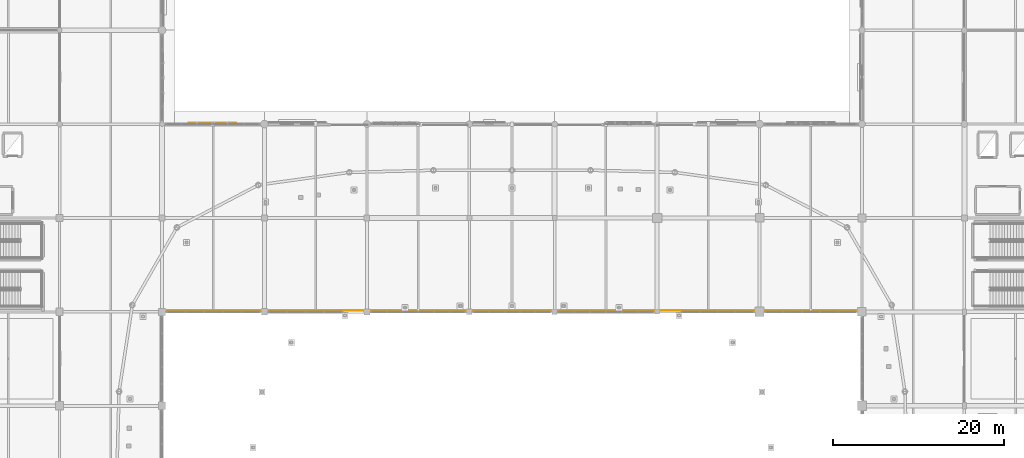
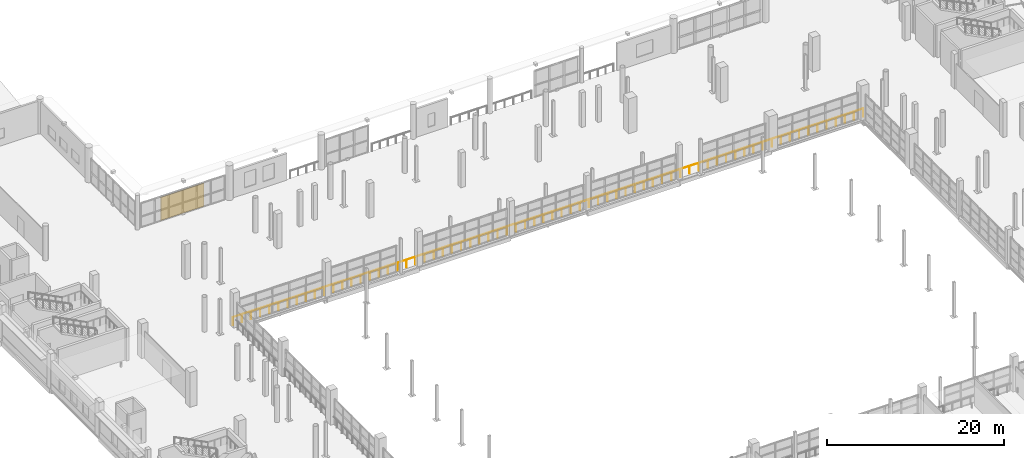
# One storey, part 128 of 143: 1 railing, 1 shading device.
"""IFC4 building model written with IfcOpenShell, lengths in metres."""

from ifc_helpers import new_model, si_unit, direction, frame, origin, origin_2d, place, context, subcontext, project, spatial, rectangle, circle, extrude, material, layer, layer_set, type_object, element, save


model = new_model("IFC4")

# Units and contexts
model_context = context("Model", 3, precision=1e-05, world=origin(), true_north=direction((0.0, 1.0)))
body_context = subcontext(model_context, "Body", "Model", "MODEL_VIEW")
ifc_project = project(units=[si_unit("LENGTHUNIT", "METRE"), si_unit("AREAUNIT", "SQUARE_METRE"), si_unit("VOLUMEUNIT", "CUBIC_METRE"), si_unit("PLANEANGLEUNIT", "RADIAN"), si_unit("MASSUNIT", "GRAM", prefix="KILO")], contexts=[model_context])

# Site, building, storey
site_placement = place(None, origin())
site = spatial("IfcSite", under=ifc_project, at=site_placement, CompositionType="ELEMENT")
building_placement = place(site_placement, origin())
building = spatial("IfcBuilding", under=site, at=building_placement, Name="Luwafu Chhajja Arena", CompositionType="ELEMENT")
storey_placement = place(building_placement, frame((0.0, 0.0, 5.39990234375)))
storey = spatial("IfcBuildingStorey", under=building, at=storey_placement, Name="L01", CompositionType="ELEMENT", Elevation=5.39990234375)

# Shading device
ifc_material_1 = material(Name="Pierced buff sandstone jali", Category="masonry")
ifc_layer = layer(ifc_material_1, 0.080078125, Name="Pierced buff sandstone jali")
ifc_layer_set = layer_set([ifc_layer], Name="Pierced buff sandstone jali")
shading_device_type = type_object("IfcShadingDeviceType", Name="Pierced Buff-Sandstone Jali Screen", PredefinedType="JALOUSIE", material=ifc_layer_set)
shading_device_placement = place(storey_placement, frame((63.91259765625, 99.110107421875, 0.000244140625), z_axis=(0.0, 0.0, 1.0), x_axis=(1.0, 0.0, 0.0)))
element("IfcShadingDevice", 1, at=shading_device_placement, inside=storey, type_object=shading_device_type, Name="L01 Pierced Buff-Sandstone Jali Screen 014", PredefinedType="JALOUSIE", context=body_context, shape_type="SweptSolid", body=[
    extrude(rectangle(XDim=5.60009765625, YDim=0.080078125, at=origin_2d()), origin(), (0.0, 0.0, 1.0), 3.18994140625),
])

# Railing
ifc_material_2 = material(Name="Stainless steel balustrade", Category="steel")
railing_type = type_object("IfcRailingType", Name="Seating Bowl Sightline Barrier 1100", PredefinedType="BALUSTRADE", material=ifc_material_2)
railing_placement = place(storey_placement, frame((140.14990234375, 77.14990234375, 0.0)))
element("IfcRailing", 2, at=railing_placement, inside=storey, type_object=railing_type, Name="L01 Bowl Rim Guard 0030", PredefinedType="BALUSTRADE", context=body_context, shape_type="SweptSolid", body=[
    extrude(circle(Radius=0.02392578125, at=origin_2d()), frame((0.0, 0.0, 1.09619140625), z_axis=(-1.0, 0.0, 0.0), x_axis=(0.0, -1.0, 0.0)), (0.0, 0.0, 1.0), 82.2998046875),
    extrude(circle(Radius=0.02099609375, at=origin_2d()), origin(), (0.0, 0.0, 1.0), 1.072021484375),
    extrude(circle(Radius=0.02099609375, at=origin_2d()), frame((-1.19287109375, 0.0, 0.0)), (0.0, 0.0, 1.0), 1.072021484375),
    extrude(circle(Radius=0.02099609375, at=origin_2d()), frame((-2.385498046875, 0.0, 0.0)), (0.0, 0.0, 1.0), 1.072021484375),
    extrude(circle(Radius=0.02099609375, at=origin_2d()), frame((-3.578369140625, 0.0, 0.0)), (0.0, 0.0, 1.0), 1.072021484375),
    extrude(circle(Radius=0.02099609375, at=origin_2d()), frame((-4.77099609375, 0.0, 0.0)), (0.0, 0.0, 1.0), 1.072021484375),
    extrude(circle(Radius=0.02099609375, at=origin_2d()), frame((-5.9638671875, 0.0, 0.0)), (0.0, 0.0, 1.0), 1.072021484375),
    extrude(circle(Radius=0.02099609375, at=origin_2d()), frame((-7.156494140625, 0.0, 0.0)), (0.0, 0.0, 1.0), 1.072021484375),
    extrude(circle(Radius=0.02099609375, at=origin_2d()), frame((-8.349365234375, 0.0, 0.0)), (0.0, 0.0, 1.0), 1.072021484375),
    extrude(circle(Radius=0.02099609375, at=origin_2d()), frame((-9.5419921875, 0.0, 0.0)), (0.0, 0.0, 1.0), 1.072021484375),
    extrude(circle(Radius=0.02099609375, at=origin_2d()), frame((-10.73486328125, 0.0, 0.0)), (0.0, 0.0, 1.0), 1.072021484375),
    extrude(circle(Radius=0.02099609375, at=origin_2d()), frame((-11.927490234375, 0.0, 0.0)), (0.0, 0.0, 1.0), 1.072021484375),
    extrude(circle(Radius=0.02099609375, at=origin_2d()), frame((-13.120361328125, 0.0, 0.0)), (0.0, 0.0, 1.0), 1.072021484375),
    extrude(circle(Radius=0.02099609375, at=origin_2d()), frame((-14.31298828125, 0.0, 0.0)), (0.0, 0.0, 1.0), 1.072021484375),
    extrude(circle(Radius=0.02099609375, at=origin_2d()), frame((-15.505859375, 0.0, 0.0)), (0.0, 0.0, 1.0), 1.072021484375),
    extrude(circle(Radius=0.02099609375, at=origin_2d()), frame((-16.698486328125, 0.0, 0.0)), (0.0, 0.0, 1.0), 1.072021484375),
    extrude(circle(Radius=0.02099609375, at=origin_2d()), frame((-17.891357421875, 0.0, 0.0)), (0.0, 0.0, 1.0), 1.072021484375),
    extrude(circle(Radius=0.02099609375, at=origin_2d()), frame((-19.083984375, 0.0, 0.0)), (0.0, 0.0, 1.0), 1.072021484375),
    extrude(circle(Radius=0.02099609375, at=origin_2d()), frame((-20.27685546875, 0.0, 0.0)), (0.0, 0.0, 1.0), 1.072021484375),
    extrude(circle(Radius=0.02099609375, at=origin_2d()), frame((-21.469482421875, 0.0, 0.0)), (0.0, 0.0, 1.0), 1.072021484375),
    extrude(circle(Radius=0.02099609375, at=origin_2d()), frame((-22.662353515625, 0.0, 0.0)), (0.0, 0.0, 1.0), 1.072021484375),
    extrude(circle(Radius=0.02099609375, at=origin_2d()), frame((-23.85498046875, 0.0, 0.0)), (0.0, 0.0, 1.0), 1.072021484375),
    extrude(circle(Radius=0.02099609375, at=origin_2d()), frame((-25.0478515625, 0.0, 0.0)), (0.0, 0.0, 1.0), 1.072021484375),
    extrude(circle(Radius=0.02099609375, at=origin_2d()), frame((-26.240478515625, 0.0, 0.0)), (0.0, 0.0, 1.0), 1.072021484375),
    extrude(circle(Radius=0.02099609375, at=origin_2d()), frame((-27.433349609375, 0.0, 0.0)), (0.0, 0.0, 1.0), 1.072021484375),
    extrude(circle(Radius=0.02099609375, at=origin_2d()), frame((-28.6259765625, 0.0, 0.0)), (0.0, 0.0, 1.0), 1.072021484375),
    extrude(circle(Radius=0.02099609375, at=origin_2d()), frame((-29.81884765625, 0.0, 0.0)), (0.0, 0.0, 1.0), 1.072021484375),
    extrude(circle(Radius=0.02099609375, at=origin_2d()), frame((-31.011474609375, 0.0, 0.0)), (0.0, 0.0, 1.0), 1.072021484375),
    extrude(circle(Radius=0.02099609375, at=origin_2d()), frame((-32.204345703125, 0.0, 0.0)), (0.0, 0.0, 1.0), 1.072021484375),
    extrude(circle(Radius=0.02099609375, at=origin_2d()), frame((-33.39697265625, 0.0, 0.0)), (0.0, 0.0, 1.0), 1.072021484375),
    extrude(circle(Radius=0.02099609375, at=origin_2d()), frame((-34.58984375, 0.0, 0.0)), (0.0, 0.0, 1.0), 1.072021484375),
    extrude(circle(Radius=0.02099609375, at=origin_2d()), frame((-35.782470703125, 0.0, 0.0)), (0.0, 0.0, 1.0), 1.072021484375),
    extrude(circle(Radius=0.02099609375, at=origin_2d()), frame((-36.975341796875, 0.0, 0.0)), (0.0, 0.0, 1.0), 1.072021484375),
    extrude(circle(Radius=0.02099609375, at=origin_2d()), frame((-38.16796875, 0.0, 0.0)), (0.0, 0.0, 1.0), 1.072021484375),
    extrude(circle(Radius=0.02099609375, at=origin_2d()), frame((-39.36083984375, 0.0, 0.0)), (0.0, 0.0, 1.0), 1.072021484375),
    extrude(circle(Radius=0.02099609375, at=origin_2d()), frame((-40.553466796875, 0.0, 0.0)), (0.0, 0.0, 1.0), 1.072021484375),
    extrude(circle(Radius=0.02099609375, at=origin_2d()), frame((-41.746337890625, 0.0, 0.0)), (0.0, 0.0, 1.0), 1.072021484375),
    extrude(circle(Radius=0.02099609375, at=origin_2d()), frame((-42.93896484375, 0.0, 0.0)), (0.0, 0.0, 1.0), 1.072021484375),
    extrude(circle(Radius=0.02099609375, at=origin_2d()), frame((-44.1318359375, 0.0, 0.0)), (0.0, 0.0, 1.0), 1.072021484375),
    extrude(circle(Radius=0.02099609375, at=origin_2d()), frame((-45.324462890625, 0.0, 0.0)), (0.0, 0.0, 1.0), 1.072021484375),
    extrude(circle(Radius=0.02099609375, at=origin_2d()), frame((-46.517333984375, 0.0, 0.0)), (0.0, 0.0, 1.0), 1.072021484375),
    extrude(circle(Radius=0.02099609375, at=origin_2d()), frame((-47.7099609375, 0.0, 0.0)), (0.0, 0.0, 1.0), 1.072021484375),
    extrude(circle(Radius=0.02099609375, at=origin_2d()), frame((-48.90283203125, 0.0, 0.0)), (0.0, 0.0, 1.0), 1.072021484375),
    extrude(circle(Radius=0.02099609375, at=origin_2d()), frame((-50.095458984375, 0.0, 0.0)), (0.0, 0.0, 1.0), 1.072021484375),
    extrude(circle(Radius=0.02099609375, at=origin_2d()), frame((-51.288330078125, 0.0, 0.0)), (0.0, 0.0, 1.0), 1.072021484375),
    extrude(circle(Radius=0.02099609375, at=origin_2d()), frame((-52.48095703125, 0.0, 0.0)), (0.0, 0.0, 1.0), 1.072021484375),
    extrude(circle(Radius=0.02099609375, at=origin_2d()), frame((-53.673828125, 0.0, 0.0)), (0.0, 0.0, 1.0), 1.072021484375),
    extrude(circle(Radius=0.02099609375, at=origin_2d()), frame((-54.866455078125, 0.0, 0.0)), (0.0, 0.0, 1.0), 1.072021484375),
    extrude(circle(Radius=0.02099609375, at=origin_2d()), frame((-56.059326171875, 0.0, 0.0)), (0.0, 0.0, 1.0), 1.072021484375),
    extrude(circle(Radius=0.02099609375, at=origin_2d()), frame((-57.251953125, 0.0, 0.0)), (0.0, 0.0, 1.0), 1.072021484375),
    extrude(circle(Radius=0.02099609375, at=origin_2d()), frame((-58.44482421875, 0.0, 0.0)), (0.0, 0.0, 1.0), 1.072021484375),
    extrude(circle(Radius=0.02099609375, at=origin_2d()), frame((-59.637451171875, 0.0, 0.0)), (0.0, 0.0, 1.0), 1.072021484375),
    extrude(circle(Radius=0.02099609375, at=origin_2d()), frame((-60.830322265625, 0.0, 0.0)), (0.0, 0.0, 1.0), 1.072021484375),
    extrude(circle(Radius=0.02099609375, at=origin_2d()), frame((-62.02294921875, 0.0, 0.0)), (0.0, 0.0, 1.0), 1.072021484375),
    extrude(circle(Radius=0.02099609375, at=origin_2d()), frame((-63.2158203125, 0.0, 0.0)), (0.0, 0.0, 1.0), 1.072021484375),
    extrude(circle(Radius=0.02099609375, at=origin_2d()), frame((-64.408447265625, 0.0, 0.0)), (0.0, 0.0, 1.0), 1.072021484375),
    extrude(circle(Radius=0.02099609375, at=origin_2d()), frame((-65.601318359375, 0.0, 0.0)), (0.0, 0.0, 1.0), 1.072021484375),
    extrude(circle(Radius=0.02099609375, at=origin_2d()), frame((-66.7939453125, 0.0, 0.0)), (0.0, 0.0, 1.0), 1.072021484375),
    extrude(circle(Radius=0.02099609375, at=origin_2d()), frame((-67.98681640625, 0.0, 0.0)), (0.0, 0.0, 1.0), 1.072021484375),
    extrude(circle(Radius=0.02099609375, at=origin_2d()), frame((-69.179443359375, 0.0, 0.0)), (0.0, 0.0, 1.0), 1.072021484375),
    extrude(circle(Radius=0.02099609375, at=origin_2d()), frame((-70.372314453125, 0.0, 0.0)), (0.0, 0.0, 1.0), 1.072021484375),
    extrude(circle(Radius=0.02099609375, at=origin_2d()), frame((-71.56494140625, 0.0, 0.0)), (0.0, 0.0, 1.0), 1.072021484375),
    extrude(circle(Radius=0.02099609375, at=origin_2d()), frame((-72.7578125, 0.0, 0.0)), (0.0, 0.0, 1.0), 1.072021484375),
    extrude(circle(Radius=0.02099609375, at=origin_2d()), frame((-73.950439453125, 0.0, 0.0)), (0.0, 0.0, 1.0), 1.072021484375),
    extrude(circle(Radius=0.02099609375, at=origin_2d()), frame((-75.143310546875, 0.0, 0.0)), (0.0, 0.0, 1.0), 1.072021484375),
    extrude(circle(Radius=0.02099609375, at=origin_2d()), frame((-76.3359375, 0.0, 0.0)), (0.0, 0.0, 1.0), 1.072021484375),
    extrude(circle(Radius=0.02099609375, at=origin_2d()), frame((-77.52880859375, 0.0, 0.0)), (0.0, 0.0, 1.0), 1.072021484375),
    extrude(circle(Radius=0.02099609375, at=origin_2d()), frame((-78.721435546875, 0.0, 0.0)), (0.0, 0.0, 1.0), 1.072021484375),
    extrude(circle(Radius=0.02099609375, at=origin_2d()), frame((-79.914306640625, 0.0, 0.0)), (0.0, 0.0, 1.0), 1.072021484375),
    extrude(circle(Radius=0.02099609375, at=origin_2d()), frame((-81.10693359375, 0.0, 0.0)), (0.0, 0.0, 1.0), 1.072021484375),
    extrude(circle(Radius=0.02099609375, at=origin_2d()), frame((-82.2998046875, 0.0, 0.0)), (0.0, 0.0, 1.0), 1.072021484375),
])

save(model, "model.ifc")
